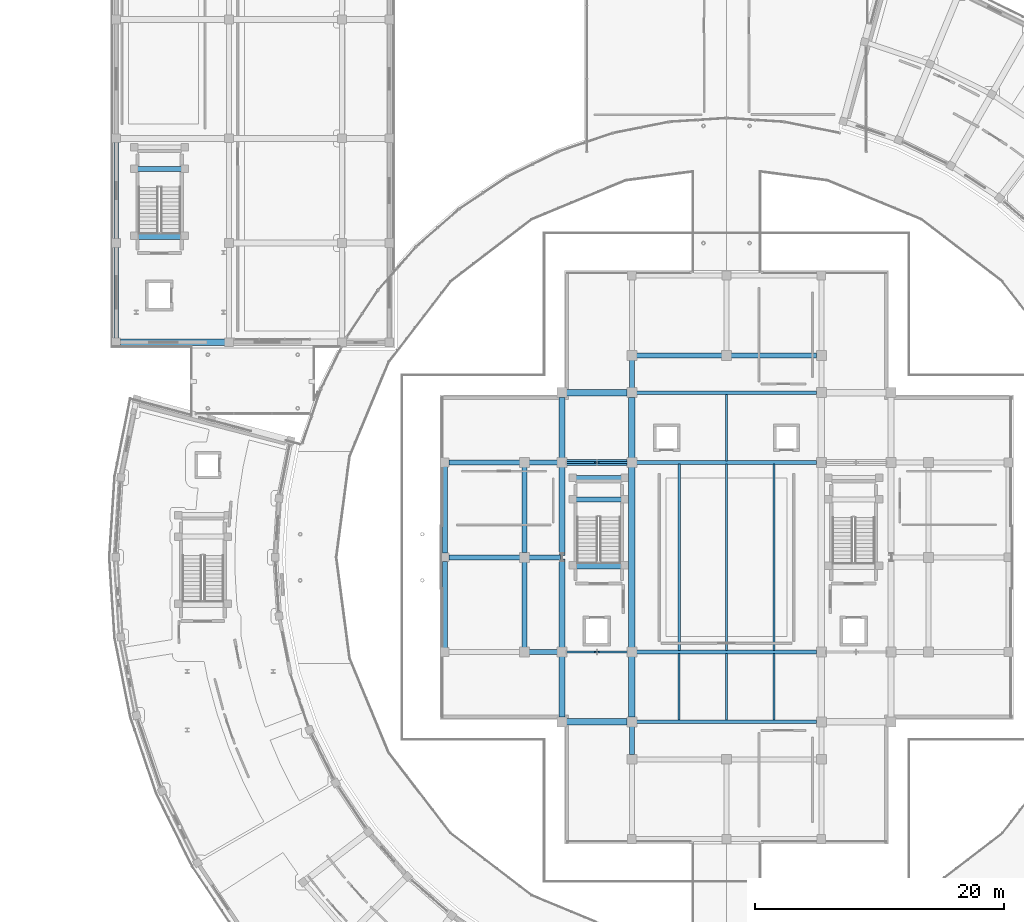
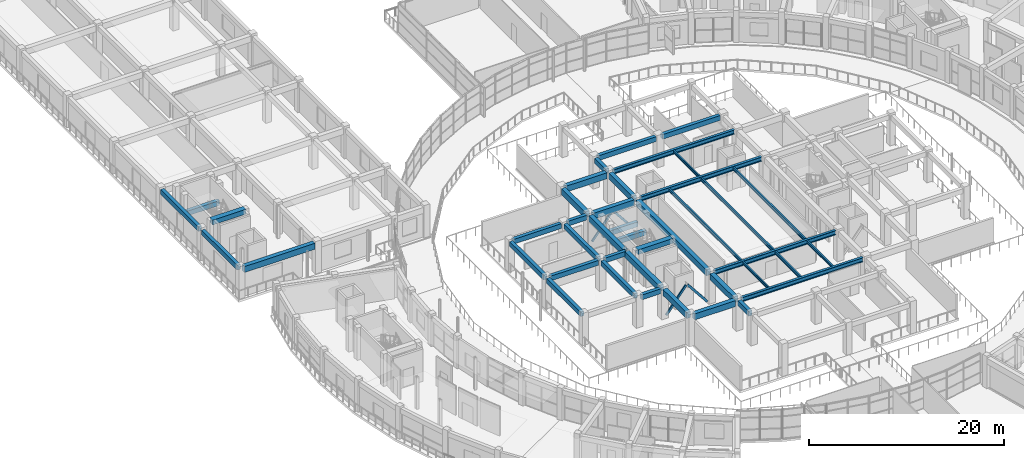
# One storey, part 25 of 83: 42 beams, 4 members.
"""IFC4 building model written with IfcOpenShell, lengths in metres."""

from ifc_helpers import new_model, si_unit, direction, frame, origin, origin_2d, place, context, subcontext, project, spatial, rectangle, hollow_rectangle, i_section, extrude, material, material_profile, profile_set, type_object, element, save


model = new_model("IFC4")

# Units and contexts
model_context = context("Model", 3, precision=1e-05, world=origin(), true_north=direction((0.0, 1.0)))
body_context = subcontext(model_context, "Body", "Model", "MODEL_VIEW")
ifc_project = project(units=[si_unit("LENGTHUNIT", "METRE"), si_unit("AREAUNIT", "SQUARE_METRE"), si_unit("VOLUMEUNIT", "CUBIC_METRE"), si_unit("PLANEANGLEUNIT", "RADIAN"), si_unit("MASSUNIT", "GRAM", prefix="KILO")], contexts=[model_context])

# Site, building, storey
site_placement = place(None, origin())
site = spatial("IfcSite", under=ifc_project, at=site_placement, CompositionType="ELEMENT")
building_placement = place(site_placement, origin())
building = spatial("IfcBuilding", under=site, at=building_placement, Name="Saryqyr Civic Hall", CompositionType="ELEMENT")
storey_placement = place(building_placement, frame((0.0, 0.0, 9.14990234375)))
storey = spatial("IfcBuildingStorey", under=building, at=storey_placement, Name="L02", CompositionType="ELEMENT", Elevation=9.14990234375)

# Beams
ifc_material_1 = material(Name="Steel S355", Category="steel")
ifc_material_profile_1 = material_profile(ifc_material_1, i_section(OverallWidth=0.300048828125, OverallDepth=0.550048828125, WebThickness=0.014892578125, FlangeThickness=0.029052734375, at=origin_2d()), Name="HEB 550")
ifc_profile_set_1 = profile_set([ifc_material_profile_1], Name="Steel S355")
beam_type_1 = type_object("IfcBeamType", Name="STR-BM-HEB550", PredefinedType="BEAM", material=ifc_profile_set_1)
for number, where, z_axis, x_axis, name in (
    (1, (49.77490234375, 70.800048828125, 3.51513671875), (1.0, 0.0, 0.0), (0.0, 1.0, 0.0), "Beam V1-GBM-EW1-L02"),
    (2, (49.77490234375, 76.39990234375, 3.51513671875), (1.0, 0.0, 0.0), (0.0, 1.0, 0.0), "Beam V1-GBM-EW2-L02"),
    (3, (49.77490234375, 91.60009765625, 3.51513671875), (1.0, 0.0, 0.0), (0.0, 1.0, 0.0), "Beam V1-GBM-EW3-L02"),
    (4, (49.77490234375, 97.199951171875, 3.51513671875), (1.0, 0.0, 0.0), (0.0, 1.0, 0.0), "Beam V1-GBM-EW4-L02"),
):
    element("IfcBeam", number, at=place(storey_placement, frame(where, z_axis=z_axis, x_axis=x_axis)), inside=storey, type_object=beam_type_1, Name=name, PredefinedType="BEAM", context=body_context, shape_type="SweptSolid", body=[
        extrude(i_section(OverallWidth=0.300048828125, OverallDepth=0.550048828125, WebThickness=0.014892578125, FlangeThickness=0.029052734375, at=origin_2d()), origin(), (0.0, 0.0, 1.0), 14.4501953125),
    ])
ifc_material_2 = material(Name="Concrete C35/45", Category="concrete")
ifc_material_profile_2 = material_profile(ifc_material_2, rectangle(XDim=0.39990234375, YDim=0.60009765625, at=origin_2d()), Name="RC 400x600")
ifc_profile_set_2 = profile_set([ifc_material_profile_2], Name="Concrete C35/45")
beam_type_2 = type_object("IfcBeamType", Name="STR-BM-RC400x600", PredefinedType="BEAM", material=ifc_profile_set_2)
for number, where, z_axis, x_axis, name in (
    (5, (34.72509765625, 84.0, 3.489990234375), (1.0, 0.0, 0.0), (0.0, 1.0, 0.0), "Beam V1-TBM-02-L02"),
    (6, (34.72509765625, 91.60009765625, 3.489990234375), (1.0, 0.0, 0.0), (0.0, 1.0, 0.0), "Beam V1-TBM-03-L02"),
):
    element("IfcBeam", number, at=place(storey_placement, frame(where, z_axis=z_axis, x_axis=x_axis)), inside=storey, type_object=beam_type_2, Name=name, PredefinedType="BEAM", context=body_context, shape_type="SweptSolid", body=[
        extrude(rectangle(XDim=0.39990234375, YDim=0.60009765625, at=origin_2d()), origin(), (0.0, 0.0, 1.0), 5.699951171875),
    ])
for number, where, z_axis, x_axis, name in (
    (7, (34.39990234375, 76.72509765625, 3.489990234375), (0.0, 1.0, 0.0), (-1.0, 0.0, 0.0), "Beam V1-TBM-13-L02"),
    (8, (34.39990234375, 84.324951171875, 3.489990234375), (0.0, 1.0, 0.0), (-1.0, 0.0, 0.0), "Beam V1-TBM-14-L02"),
):
    element("IfcBeam", number, at=place(storey_placement, frame(where, z_axis=z_axis, x_axis=x_axis)), inside=storey, type_object=beam_type_2, Name=name, PredefinedType="BEAM", context=body_context, shape_type="SweptSolid", body=[
        extrude(rectangle(XDim=0.39990234375, YDim=0.60009765625, at=origin_2d()), origin(), (0.0, 0.0, 1.0), 6.949951171875),
    ])
beam_1_placement = place(storey_placement, frame((41.175048828125, 76.39990234375, 3.489990234375), z_axis=(1.0, 0.0, 0.0), x_axis=(0.0, 1.0, 0.0)))
element("IfcBeam", 9, at=beam_1_placement, inside=storey, type_object=beam_type_2, Name="Beam V1-TBM-21-L02", PredefinedType="BEAM", context=body_context, shape_type="SweptSolid", body=[
    extrude(rectangle(XDim=0.39990234375, YDim=0.60009765625, at=origin_2d()), origin(), (0.0, 0.0, 1.0), 2.25),
])
beam_2_placement = place(storey_placement, frame((41.175048828125, 84.0, 3.489990234375), z_axis=(1.0, 0.0, 0.0), x_axis=(0.0, 1.0, 0.0)))
element("IfcBeam", 10, at=beam_2_placement, inside=storey, type_object=beam_type_2, Name="Beam V1-TBM-22-L02", PredefinedType="BEAM", context=body_context, shape_type="SweptSolid", body=[
    extrude(rectangle(XDim=0.39990234375, YDim=0.60009765625, at=origin_2d()), origin(), (0.0, 0.0, 1.0), 2.5),
])
for number, where, z_axis, x_axis, name in (
    (11, (41.175048828125, 91.60009765625, 3.489990234375), (1.0, 0.0, 0.0), (0.0, 1.0, 0.0), "Beam V1-TBM-23-L02"),
    (12, (49.39990234375, 68.175048828125, 3.489990234375), (0.0, 1.0, 0.0), (-1.0, 0.0, 0.0), "Beam V1-TBM-27-L02"),
    (13, (49.39990234375, 97.574951171875, 3.489990234375), (0.0, 1.0, 0.0), (-1.0, 0.0, 0.0), "Beam V1-TBM-29-L02"),
):
    element("IfcBeam", number, at=place(storey_placement, frame(where, z_axis=z_axis, x_axis=x_axis)), inside=storey, type_object=beam_type_2, Name=name, PredefinedType="BEAM", context=body_context, shape_type="SweptSolid", body=[
        extrude(rectangle(XDim=0.39990234375, YDim=0.60009765625, at=origin_2d()), origin(), (0.0, 0.0, 1.0), 2.25),
    ])
for number, where, z_axis, x_axis, name in (
    (14, (40.800048828125, 76.77490234375, 3.489990234375), (0.0, 1.0, 0.0), (-1.0, 0.0, 0.0), "Beam V1-TBM-31-L02"),
    (15, (40.800048828125, 84.375, 3.489990234375), (0.0, 1.0, 0.0), (-1.0, 0.0, 0.0), "Beam V1-TBM-32-L02"),
    (16, (49.77490234375, 100.199951171875, 3.489990234375), (1.0, 0.0, 0.0), (0.0, 1.0, 0.0), "Beam V1-TBM-37-L02"),
    (17, (57.375, 100.199951171875, 3.489990234375), (1.0, 0.0, 0.0), (0.0, 1.0, 0.0), "Beam V1-TBM-38-L02"),
):
    element("IfcBeam", number, at=place(storey_placement, frame(where, z_axis=z_axis, x_axis=x_axis)), inside=storey, type_object=beam_type_2, Name=name, PredefinedType="BEAM", context=body_context, shape_type="SweptSolid", body=[
        extrude(rectangle(XDim=0.39990234375, YDim=0.60009765625, at=origin_2d()), origin(), (0.0, 0.0, 1.0), 6.85009765625),
    ])
beam_3_placement = place(storey_placement, frame((8.050048828125, 101.574951171875, 3.489990234375), z_axis=(0.0, 1.0, 0.0), x_axis=(-1.0, 0.0, 0.0)))
element("IfcBeam", 18, at=beam_3_placement, inside=storey, type_object=beam_type_2, Name="Beam V3-BM-NS-1-1-L02", PredefinedType="BEAM", context=body_context, shape_type="SweptSolid", body=[
    extrude(rectangle(XDim=0.39990234375, YDim=0.60009765625, at=origin_2d()), origin(), (0.0, 0.0, 1.0), 7.300048828125),
])
beam_4_placement = place(storey_placement, frame((8.050048828125, 109.52490234375, 3.489990234375), z_axis=(0.0, 1.0, 0.0), x_axis=(-1.0, 0.0, 0.0)))
element("IfcBeam", 19, at=beam_4_placement, inside=storey, type_object=beam_type_2, Name="Beam V3-BM-NS-1-2-L02", PredefinedType="BEAM", context=body_context, shape_type="SweptSolid", body=[
    extrude(rectangle(XDim=0.39990234375, YDim=0.60009765625, at=origin_2d()), origin(), (0.0, 0.0, 1.0), 7.75),
])
for number, where, z_axis, x_axis, name in (
    (20, (48.800048828125, 88.64990234375, 1.525146484375), (-1.0, 0.0, 0.0), (0.0, -1.0, 0.0), "Stair half-landing support beam ST-1-LND1-L02"),
    (21, (48.800048828125, 90.3798828125, 1.525146484375), (-1.0, 0.0, 0.0), (0.0, -1.0, 0.0), "Stair half-landing support beam ST-1-LND2-L02"),
):
    element("IfcBeam", number, at=place(storey_placement, frame(where, z_axis=z_axis, x_axis=x_axis)), inside=storey, type_object=beam_type_2, Name=name, PredefinedType="BEAM", context=body_context, shape_type="SweptSolid", body=[
        extrude(rectangle(XDim=0.39990234375, YDim=0.60009765625, at=origin_2d()), origin(), (0.0, 0.0, 1.0), 4.10009765625),
    ])
beam_5_placement = place(storey_placement, frame((13.5, 115.14990234375, 1.525146484375), z_axis=(-1.0, 0.0, 0.0), x_axis=(0.0, -1.0, 0.0)))
element("IfcBeam", 22, at=beam_5_placement, inside=storey, type_object=beam_type_2, Name="Stair half-landing support beam ST-3-LND1-L02", PredefinedType="BEAM", context=body_context, shape_type="SweptSolid", body=[
    extrude(rectangle(XDim=0.39990234375, YDim=0.60009765625, at=origin_2d()), origin(), (0.0, 0.0, 1.0), 3.9599609375),
])
ifc_material_3 = material(Name="Concrete C40/50", Category="concrete")
ifc_material_profile_3 = material_profile(ifc_material_3, rectangle(XDim=0.5, YDim=0.75, at=origin_2d()), Name="RC 500x750")
ifc_profile_set_3 = profile_set([ifc_material_profile_3], Name="Concrete C40/50")
beam_type_3 = type_object("IfcBeamType", Name="STR-BM-RC500x750", PredefinedType="BEAM", material=ifc_profile_set_3)
for number, where, z_axis, x_axis, name in (
    (23, (44.175048828125, 70.800048828125, 3.4150390625), (1.0, 0.0, 0.0), (0.0, 1.0, 0.0), "Beam V1-WBM-W1-L02"),
    (24, (44.175048828125, 91.60009765625, 3.4150390625), (1.0, 0.0, 0.0), (0.0, 1.0, 0.0), "Beam V1-WBM-W3-L02"),
    (25, (44.175048828125, 97.199951171875, 3.4150390625), (1.0, 0.0, 0.0), (0.0, 1.0, 0.0), "Beam V1-WBM-W4-L02"),
    (26, (43.800048828125, 71.175048828125, 3.4150390625), (0.0, 1.0, 0.0), (-1.0, 0.0, 0.0), "Beam V1-BM-NS11-L02"),
):
    element("IfcBeam", number, at=place(storey_placement, frame(where, z_axis=z_axis, x_axis=x_axis)), inside=storey, type_object=beam_type_3, Name=name, PredefinedType="BEAM", context=body_context, shape_type="SweptSolid", body=[
        extrude(rectangle(XDim=0.5, YDim=0.75, at=origin_2d()), origin(), (0.0, 0.0, 1.0), 4.849853515625),
    ])
for number, where, z_axis, x_axis, name in (
    (27, (43.800048828125, 76.77490234375, 3.4150390625), (0.0, 1.0, 0.0), (-1.0, 0.0, 0.0), "Beam V1-BM-NS1A-L02"),
    (28, (43.800048828125, 84.125, 3.4150390625), (0.0, 1.0, 0.0), (-1.0, 0.0, 0.0), "Beam V1-BM-NS1B-L02"),
):
    element("IfcBeam", number, at=place(storey_placement, frame(where, z_axis=z_axis, x_axis=x_axis)), inside=storey, type_object=beam_type_3, Name=name, PredefinedType="BEAM", context=body_context, shape_type="SweptSolid", body=[
        extrude(rectangle(XDim=0.5, YDim=0.75, at=origin_2d()), origin(), (0.0, 0.0, 1.0), 7.10009765625),
    ])
for number, where, z_axis, x_axis, name in (
    (29, (43.800048828125, 91.97509765625, 3.4150390625), (0.0, 1.0, 0.0), (-1.0, 0.0, 0.0), "Beam V1-BM-NS13-L02"),
    (30, (49.39990234375, 71.175048828125, 3.4150390625), (0.0, 1.0, 0.0), (-1.0, 0.0, 0.0), "Beam V1-BM-NS21-L02"),
):
    element("IfcBeam", number, at=place(storey_placement, frame(where, z_axis=z_axis, x_axis=x_axis)), inside=storey, type_object=beam_type_3, Name=name, PredefinedType="BEAM", context=body_context, shape_type="SweptSolid", body=[
        extrude(rectangle(XDim=0.5, YDim=0.75, at=origin_2d()), origin(), (0.0, 0.0, 1.0), 4.849853515625),
    ])
beam_6_placement = place(storey_placement, frame((49.39990234375, 76.77490234375, 3.4150390625), z_axis=(0.0, 1.0, 0.0), x_axis=(-1.0, 0.0, 0.0)))
element("IfcBeam", 31, at=beam_6_placement, inside=storey, type_object=beam_type_3, Name="Beam V1-BM-NS22-L02", PredefinedType="BEAM", context=body_context, shape_type="SweptSolid", body=[
    extrude(rectangle(XDim=0.5, YDim=0.75, at=origin_2d()), origin(), (0.0, 0.0, 1.0), 14.4501953125),
])
beam_7_placement = place(storey_placement, frame((49.39990234375, 91.97509765625, 3.4150390625), z_axis=(0.0, 1.0, 0.0), x_axis=(-1.0, 0.0, 0.0)))
element("IfcBeam", 32, at=beam_7_placement, inside=storey, type_object=beam_type_3, Name="Beam V1-BM-NS23-L02", PredefinedType="BEAM", context=body_context, shape_type="SweptSolid", body=[
    extrude(rectangle(XDim=0.5, YDim=0.75, at=origin_2d()), origin(), (0.0, 0.0, 1.0), 4.849853515625),
])
beam_8_placement = place(storey_placement, frame((8.375, 101.25, 3.4150390625), z_axis=(1.0, 0.0, 0.0), x_axis=(0.0, 1.0, 0.0)))
element("IfcBeam", 33, at=beam_8_placement, inside=storey, type_object=beam_type_3, Name="Beam V3-BM-EW-1-1-L02", PredefinedType="BEAM", context=body_context, shape_type="SweptSolid", body=[
    extrude(rectangle(XDim=0.5, YDim=0.75, at=origin_2d()), origin(), (0.0, 0.0, 1.0), 8.39990234375),
])
ifc_material_profile_4 = material_profile(ifc_material_3, rectangle(XDim=0.60009765625, YDim=0.60009765625, at=origin_2d()), Name="RC 600x600")
ifc_profile_set_4 = profile_set([ifc_material_profile_4], Name="Concrete C40/50")
beam_type_4 = type_object("IfcBeamType", Name="STR-BM-RC600x600", PredefinedType="BEAM", material=ifc_profile_set_4)
beam_9_placement = place(storey_placement, frame((48.800048828125, 83.364990234375, 3.75), z_axis=(-1.0, 0.0, 0.0), x_axis=(0.0, -1.0, 0.0)))
element("IfcBeam", 34, at=beam_9_placement, inside=storey, type_object=beam_type_4, Name="Stair well trimmer beam ST-1-L03", PredefinedType="BEAM", context=body_context, shape_type="SweptSolid", body=[
    extrude(rectangle(XDim=0.60009765625, YDim=0.60009765625, at=origin_2d()), origin(), (0.0, 0.0, 1.0), 4.10009765625),
])
beam_10_placement = place(storey_placement, frame((13.5, 109.794921875, 3.75), z_axis=(-1.0, 0.0, 0.0), x_axis=(0.0, -1.0, 0.0)))
element("IfcBeam", 35, at=beam_10_placement, inside=storey, type_object=beam_type_4, Name="Stair well trimmer beam ST-3-L03", PredefinedType="BEAM", context=body_context, shape_type="SweptSolid", body=[
    extrude(rectangle(XDim=0.60009765625, YDim=0.60009765625, at=origin_2d()), origin(), (0.0, 0.0, 1.0), 3.9599609375),
])

# Members
ifc_material_profile_5 = material_profile(ifc_material_1, hollow_rectangle(XDim=0.14990234375, YDim=0.25, WallThickness=0.012451171875, at=origin_2d()), Name="RHS 250x150x12.5")
ifc_profile_set_5 = profile_set([ifc_material_profile_5], Name="Steel S355")
member_type = type_object("IfcMemberType", Name="STR-BR-RHS250", PredefinedType="BRACE", material=ifc_profile_set_5)
for number, where, z_axis, x_axis, name in (
    (36, (44.159912109375, 76.39990234375, 0.1201171875), (0.624718690137, 0.0, 0.78084989479), (0.0, 1.0, 0.0), "Seismic chevron brace 1A L02"),
    (37, (49.0400390625, 76.39990234375, 0.1201171875), (-0.624718690137, 0.0, 0.78084989479), (0.0, -1.0, 0.0), "Seismic chevron brace 1B L02"),
    (38, (44.159912109375, 91.60009765625, 0.1201171875), (0.624718690137, 0.0, 0.78084989479), (0.0, 1.0, 0.0), "Seismic chevron brace 3A L02"),
    (39, (49.0400390625, 91.60009765625, 0.1201171875), (-0.624718690137, 0.0, 0.78084989479), (0.0, -1.0, 0.0), "Seismic chevron brace 3B L02"),
):
    element("IfcMember", number, at=place(storey_placement, frame(where, z_axis=z_axis, x_axis=x_axis)), inside=storey, type_object=member_type, Name=name, PredefinedType="BRACE", context=body_context, shape_type="SweptSolid", body=[
        extrude(hollow_rectangle(XDim=0.14990234375, YDim=0.25, WallThickness=0.012451171875, at=origin_2d()), origin(), (0.0, 0.0, 1.0), 3.77783203125),
    ])

# Beams
ifc_material_profile_6 = material_profile(ifc_material_1, i_section(OverallWidth=0.169921875, OverallDepth=0.360107421875, WebThickness=0.008056640625, FlangeThickness=0.0126953125, at=origin_2d()), Name="IPE 360")
ifc_profile_set_6 = profile_set([ifc_material_profile_6], Name="Steel S355")
beam_type_5 = type_object("IfcBeamType", Name="STR-JST-IPE360", PredefinedType="JOIST", material=ifc_profile_set_6)
for number, where, z_axis, x_axis, name in (
    (40, (53.199951171875, 70.929931640625, 3.610107421875), (0.0, 1.0, 0.0), (-1.0, 0.0, 0.0), "Beam V1-JST-1-1-L02"),
    (41, (57.0, 70.929931640625, 3.610107421875), (0.0, 1.0, 0.0), (-1.0, 0.0, 0.0), "Beam V1-JST-2-1-L02"),
    (42, (57.0, 91.72998046875, 3.610107421875), (0.0, 1.0, 0.0), (-1.0, 0.0, 0.0), "Beam V1-JST-2-3-L02"),
    (43, (60.800048828125, 70.929931640625, 3.610107421875), (0.0, 1.0, 0.0), (-1.0, 0.0, 0.0), "Beam V1-JST-3-1-L02"),
):
    element("IfcBeam", number, at=place(storey_placement, frame(where, z_axis=z_axis, x_axis=x_axis)), inside=storey, type_object=beam_type_5, Name=name, PredefinedType="JOIST", context=body_context, shape_type="SweptSolid", body=[
        extrude(i_section(OverallWidth=0.169921875, OverallDepth=0.360107421875, WebThickness=0.008056640625, FlangeThickness=0.0126953125, at=origin_2d()), origin(), (0.0, 0.0, 1.0), 5.340087890625),
    ])
ifc_material_profile_7 = material_profile(ifc_material_1, i_section(OverallWidth=0.179931640625, OverallDepth=0.39990234375, WebThickness=0.008544921875, FlangeThickness=0.013427734375, at=origin_2d()), Name="IPE 400")
ifc_profile_set_7 = profile_set([ifc_material_profile_7], Name="Steel S355")
beam_type_6 = type_object("IfcBeamType", Name="STR-JST-IPE400", PredefinedType="JOIST", material=ifc_profile_set_7)
for number, where, z_axis, x_axis, name in (
    (44, (53.199951171875, 76.530029296875, 3.590087890625), (0.0, 1.0, 0.0), (-1.0, 0.0, 0.0), "Beam V1-JST-1-2-L02"),
    (45, (57.0, 76.530029296875, 3.590087890625), (0.0, 1.0, 0.0), (-1.0, 0.0, 0.0), "Beam V1-JST-2-2-L02"),
    (46, (60.800048828125, 76.530029296875, 3.590087890625), (0.0, 1.0, 0.0), (-1.0, 0.0, 0.0), "Beam V1-JST-3-2-L02"),
):
    element("IfcBeam", number, at=place(storey_placement, frame(where, z_axis=z_axis, x_axis=x_axis)), inside=storey, type_object=beam_type_6, Name=name, PredefinedType="JOIST", context=body_context, shape_type="SweptSolid", body=[
        extrude(i_section(OverallWidth=0.179931640625, OverallDepth=0.39990234375, WebThickness=0.008544921875, FlangeThickness=0.013427734375, at=origin_2d()), origin(), (0.0, 0.0, 1.0), 14.93994140625),
    ])

save(model, "model.ifc")
